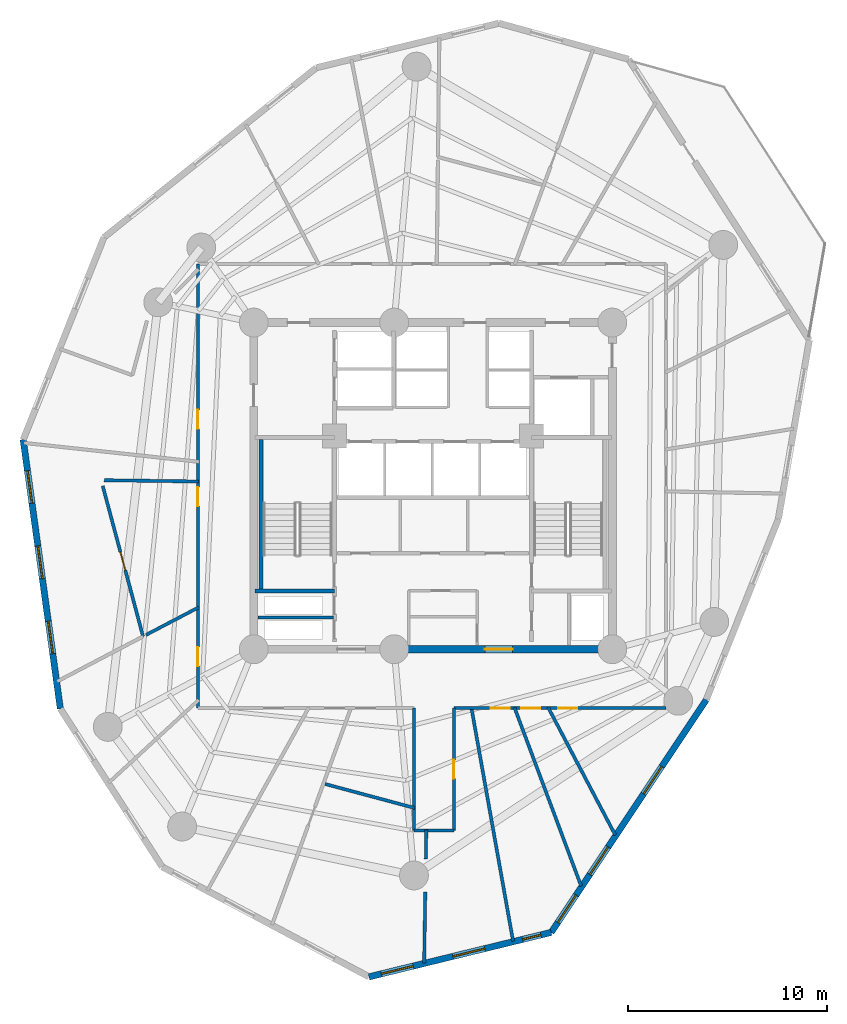
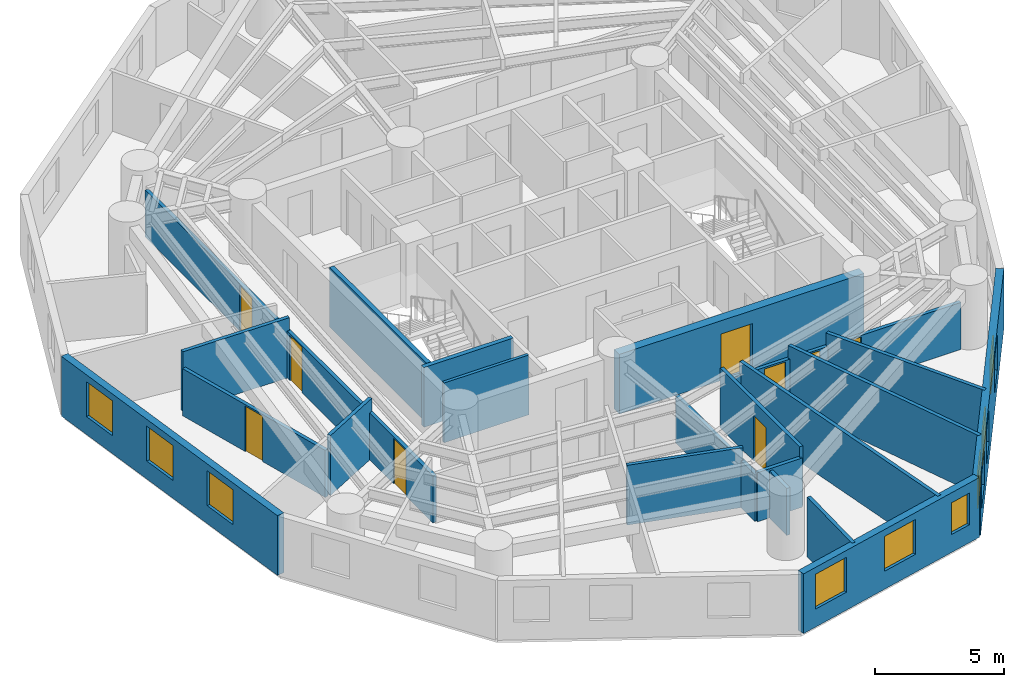
# One storey, part 3 of 8: 21 walls, 9 doors, 9 windows, 18 openings.
"""IFC4 building model written with IfcOpenShell, lengths in metres."""

from ifc_helpers import new_model, si_unit, direction, frame, frame_2d, origin, origin_with_axes, place, context, subcontext, project, spatial, rectangle, extrude, source, transform, mapped, material, layer, layer_set, type_object, element, fill, save


model = new_model("IFC4")

# Units and contexts
model_context = context("Model", 3, precision=1e-05, world=origin(), true_north=direction((0.0, 1.0)))
body_context = subcontext(model_context, "Body", "Model", "MODEL_VIEW")
ifc_project = project(units=[si_unit("LENGTHUNIT", "METRE"), si_unit("AREAUNIT", "SQUARE_METRE"), si_unit("VOLUMEUNIT", "CUBIC_METRE"), si_unit("PLANEANGLEUNIT", "RADIAN"), si_unit("MASSUNIT", "GRAM", prefix="KILO")], contexts=[model_context])

# Site, building, storey
site_placement = place(None, origin())
site = spatial("IfcSite", under=ifc_project, at=site_placement, CompositionType="ELEMENT")
building_placement = place(site_placement, origin())
building = spatial("IfcBuilding", under=site, at=building_placement, Name="Karkom Vertical University and Central Library", CompositionType="ELEMENT")
storey_placement = place(building_placement, frame((0.0, 0.0, 132.800048828125)))
storey = spatial("IfcBuildingStorey", under=building, at=storey_placement, Name="L37", CompositionType="ELEMENT", Elevation=132.800048828125)

# Wall, openings, windows
ifc_material_1 = material(Name="Brick-faced precast concrete C45/55", Category="masonry")
ifc_layer_1 = layer(ifc_material_1, 0.320068359375)
ifc_layer_set_1 = layer_set([ifc_layer_1], Name="Brick-faced precast concrete C45/55")
wall_type_1 = type_object("IfcWallType", Name="ENV-WL-BRK-320", PredefinedType="SOLIDWALL", material=ifc_layer_set_1)
wall_1_placement = place(storey_placement, frame((7.922607421875, 28.828369140625, 0.0), z_axis=(0.0, 0.0, 1.0), x_axis=(0.136771186791, -0.990602666291, 0.0)))
wall_1 = element("IfcWall", 1, at=wall_1_placement, inside=storey, type_object=wall_type_1, Name="Level 37 Brick-Faced Precast Facade Wall 01", PredefinedType="SOLIDWALL", context=body_context, shape_type="SweptSolid", body=[
    extrude(rectangle(XDim=13.646484375, YDim=0.320068359375, at=frame_2d((6.8232421875, 0.0))), origin(), (0.0, 0.0, 1.0), 2.824951171875),
])
opening_1_placement = place(wall_1_placement, frame((1.583984375, 0.0, 0.85009765625)))
opening_1 = element("IfcOpeningElement", 2, at=opening_1_placement, cuts=wall_1, Name="Opening WN-06", PredefinedType="OPENING", context=body_context, shape_type="SweptSolid", body=[
    extrude(rectangle(XDim=1.64990234375, YDim=1.64990234375, at=frame_2d((0.824951171875, 0.824951171875))), frame((0.0, 0.169921875, 0.0), z_axis=(0.0, -1.0, 0.0), x_axis=(1.0, 0.0, 0.0)), (0.0, 0.0, 1.0), 0.340087890625),
])
opening_2_placement = place(wall_1_placement, frame((5.393798828125, 0.0, 0.85009765625)))
opening_2 = element("IfcOpeningElement", 3, at=opening_2_placement, cuts=wall_1, Name="Opening WN-06", PredefinedType="OPENING", context=body_context, shape_type="SweptSolid", body=[
    extrude(rectangle(XDim=1.64990234375, YDim=1.64990234375, at=frame_2d((0.824951171875, 0.824951171875))), frame((0.0, 0.169921875, 0.0), z_axis=(0.0, -1.0, 0.0), x_axis=(1.0, 0.0, 0.0)), (0.0, 0.0, 1.0), 0.340087890625),
])
opening_3_placement = place(wall_1_placement, frame((9.20361328125, 0.0, 0.85009765625)))
opening_3 = element("IfcOpeningElement", 4, at=opening_3_placement, cuts=wall_1, Name="Opening WN-06", PredefinedType="OPENING", context=body_context, shape_type="SweptSolid", body=[
    extrude(rectangle(XDim=1.64990234375, YDim=1.64990234375, at=frame_2d((0.824951171875, 0.824951171875))), frame((0.0, 0.169921875, 0.0), z_axis=(0.0, -1.0, 0.0), x_axis=(1.0, 0.0, 0.0)), (0.0, 0.0, 1.0), 0.340087890625),
])
ifc_material_2 = material(Name="Aluminium thermal-break frame with solar-control IGU", Category="aluminium")
window_type_1 = type_object("IfcWindowType", Name="ENV-WIN-WN-06", PartitioningType="SINGLE_PANEL", PredefinedType="WINDOW", material=ifc_material_2)
shared_shape_1 = source(origin_with_axes(), body_context, "Body", "SweptSolid", [
    extrude(rectangle(XDim=1.64990234375, YDim=1.64990234375, at=frame_2d((0.824951171875, 0.824951171875))), frame((0.0, 0.030029296875, 0.0), z_axis=(0.0, -1.0, 0.0), x_axis=(1.0, 0.0, 0.0)), (0.0, 0.0, 1.0), 0.06005859375),
])
window_1_placement = place(opening_1_placement, origin())
window_1 = element("IfcWindow", 5, at=window_1_placement, inside=storey, type_object=window_type_1, Name="Level 37 Punched Window 1.1", OverallHeight=1.64990234375, OverallWidth=1.64990234375, PartitioningType="SINGLE_PANEL", PredefinedType="WINDOW", context=body_context, shape_type="MappedRepresentation", body=[
    mapped(shared_shape_1, transform((0.0, 0.0, 0.0), scale=1.0)),
])
fill(opening_1, window_1)
window_2_placement = place(opening_2_placement, origin())
window_2 = element("IfcWindow", 6, at=window_2_placement, inside=storey, type_object=window_type_1, Name="Level 37 Punched Window 1.2", OverallHeight=1.64990234375, OverallWidth=1.64990234375, PartitioningType="SINGLE_PANEL", PredefinedType="WINDOW", context=body_context, shape_type="MappedRepresentation", body=[
    mapped(shared_shape_1, transform((0.0, 0.0, 0.0), scale=1.0)),
])
fill(opening_2, window_2)
window_3_placement = place(opening_3_placement, origin())
window_3 = element("IfcWindow", 7, at=window_3_placement, inside=storey, type_object=window_type_1, Name="Level 37 Punched Window 1.3", OverallHeight=1.64990234375, OverallWidth=1.64990234375, PartitioningType="SINGLE_PANEL", PredefinedType="WINDOW", context=body_context, shape_type="MappedRepresentation", body=[
    mapped(shared_shape_1, transform((0.0, 0.0, 0.0), scale=1.0)),
])
fill(opening_3, window_3)

wall_2_placement = place(storey_placement, frame((25.284912109375, 1.85009765625, 0.0), z_axis=(0.0, 0.0, 1.0), x_axis=(0.971482920826, 0.237109541233, 0.0)))
wall_2 = element("IfcWall", 8, at=wall_2_placement, inside=storey, type_object=wall_type_1, Name="Level 37 Brick-Faced Precast Facade Wall 04", PredefinedType="SOLIDWALL", context=body_context, shape_type="SweptSolid", body=[
    extrude(rectangle(XDim=9.418212890625, YDim=0.320068359375, at=frame_2d((4.708984375, 0.0))), origin(), (0.0, 0.0, 1.0), 2.824951171875),
])
opening_4_placement = place(wall_2_placement, frame((0.638671875, 0.0, 0.85009765625)))
opening_4 = element("IfcOpeningElement", 9, at=opening_4_placement, cuts=wall_2, Name="Opening WN-06", PredefinedType="OPENING", context=body_context, shape_type="SweptSolid", body=[
    extrude(rectangle(XDim=1.64990234375, YDim=1.64990234375, at=frame_2d((0.824951171875, 0.824951171875))), frame((0.0, 0.169921875, 0.0), z_axis=(0.0, -1.0, 0.0), x_axis=(1.0, 0.0, 0.0)), (0.0, 0.0, 1.0), 0.340087890625),
])
opening_5_placement = place(wall_2_placement, frame((4.336669921875, 0.0, 0.85009765625)))
opening_5 = element("IfcOpeningElement", 10, at=opening_5_placement, cuts=wall_2, Name="Opening WN-06", PredefinedType="OPENING", context=body_context, shape_type="SweptSolid", body=[
    extrude(rectangle(XDim=1.64990234375, YDim=1.64990234375, at=frame_2d((0.824951171875, 0.824951171875))), frame((0.0, 0.169921875, 0.0), z_axis=(0.0, -1.0, 0.0), x_axis=(1.0, 0.0, 0.0)), (0.0, 0.0, 1.0), 0.340087890625),
])
opening_6_placement = place(wall_2_placement, frame((7.93212890625, 0.0, 0.85009765625)))
opening_6 = element("IfcOpeningElement", 11, at=opening_6_placement, cuts=wall_2, Name="Opening WN-12", PredefinedType="OPENING", context=body_context, shape_type="SweptSolid", body=[
    extrude(rectangle(XDim=0.949951171875, YDim=1.5, at=frame_2d((0.47509765625, 0.75))), frame((0.0, 0.169921875, 0.0), z_axis=(0.0, -1.0, 0.0), x_axis=(1.0, 0.0, 0.0)), (0.0, 0.0, 1.0), 0.340087890625),
])
window_4_placement = place(opening_4_placement, origin())
window_4 = element("IfcWindow", 12, at=window_4_placement, inside=storey, type_object=window_type_1, Name="Level 37 Punched Window 4.1", OverallHeight=1.64990234375, OverallWidth=1.64990234375, PartitioningType="SINGLE_PANEL", PredefinedType="WINDOW", context=body_context, shape_type="MappedRepresentation", body=[
    mapped(shared_shape_1, transform((0.0, 0.0, 0.0), scale=1.0)),
])
fill(opening_4, window_4)
window_5_placement = place(opening_5_placement, origin())
window_5 = element("IfcWindow", 13, at=window_5_placement, inside=storey, type_object=window_type_1, Name="Level 37 Punched Window 4.2", OverallHeight=1.64990234375, OverallWidth=1.64990234375, PartitioningType="SINGLE_PANEL", PredefinedType="WINDOW", context=body_context, shape_type="MappedRepresentation", body=[
    mapped(shared_shape_1, transform((0.0, 0.0, 0.0), scale=1.0)),
])
fill(opening_5, window_5)
window_type_2 = type_object("IfcWindowType", Name="ENV-WIN-WN-12", PartitioningType="SINGLE_PANEL", PredefinedType="WINDOW", material=ifc_material_2)
shared_shape_2 = source(origin_with_axes(), body_context, "Body", "SweptSolid", [
    extrude(rectangle(XDim=0.949951171875, YDim=1.5, at=frame_2d((0.47509765625, 0.75))), frame((0.0, 0.030029296875, 0.0), z_axis=(0.0, -1.0, 0.0), x_axis=(1.0, 0.0, 0.0)), (0.0, 0.0, 1.0), 0.06005859375),
])
window_6_placement = place(opening_6_placement, origin())
window_6 = element("IfcWindow", 14, at=window_6_placement, inside=storey, type_object=window_type_2, Name="Level 37 Punched Window 4.3", OverallHeight=1.5, OverallWidth=0.949951171875, PartitioningType="SINGLE_PANEL", PredefinedType="WINDOW", context=body_context, shape_type="MappedRepresentation", body=[
    mapped(shared_shape_2, transform((0.0, 0.0, 0.0), scale=1.0)),
])
fill(opening_6, window_6)

wall_3_placement = place(storey_placement, frame((34.4345703125, 4.083251953125, 0.0), z_axis=(0.0, 0.0, 1.0), x_axis=(0.554696184095, 0.832052969077, 0.0)))
wall_3 = element("IfcWall", 15, at=wall_3_placement, inside=storey, type_object=wall_type_1, Name="Level 37 Brick-Faced Precast Facade Wall 05", PredefinedType="SOLIDWALL", context=body_context, shape_type="SweptSolid", body=[
    extrude(rectangle(XDim=14.04248046875, YDim=0.320068359375, at=frame_2d((7.021240234375, 0.0))), origin(), (0.0, 0.0, 1.0), 2.824951171875),
])
opening_7_placement = place(wall_3_placement, frame((0.598876953125, 0.0, 0.85009765625)))
opening_7 = element("IfcOpeningElement", 16, at=opening_7_placement, cuts=wall_3, Name="Opening WN-06", PredefinedType="OPENING", context=body_context, shape_type="SweptSolid", body=[
    extrude(rectangle(XDim=1.64990234375, YDim=1.64990234375, at=frame_2d((0.824951171875, 0.824951171875))), frame((0.0, 0.169921875, 0.0), z_axis=(0.0, -1.0, 0.0), x_axis=(1.0, 0.0, 0.0)), (0.0, 0.0, 1.0), 0.340087890625),
])
opening_8_placement = place(wall_3_placement, frame((3.501953125, 0.0, 0.85009765625)))
opening_8 = element("IfcOpeningElement", 17, at=opening_8_placement, cuts=wall_3, Name="Opening WN-06", PredefinedType="OPENING", context=body_context, shape_type="SweptSolid", body=[
    extrude(rectangle(XDim=1.64990234375, YDim=1.64990234375, at=frame_2d((0.824951171875, 0.824951171875))), frame((0.0, 0.169921875, 0.0), z_axis=(0.0, -1.0, 0.0), x_axis=(1.0, 0.0, 0.0)), (0.0, 0.0, 1.0), 0.340087890625),
])
opening_9_placement = place(wall_3_placement, frame((8.35986328125, 0.0, 0.85009765625)))
opening_9 = element("IfcOpeningElement", 18, at=opening_9_placement, cuts=wall_3, Name="Opening WN-06", PredefinedType="OPENING", context=body_context, shape_type="SweptSolid", body=[
    extrude(rectangle(XDim=1.64990234375, YDim=1.64990234375, at=frame_2d((0.824951171875, 0.824951171875))), frame((0.0, 0.169921875, 0.0), z_axis=(0.0, -1.0, 0.0), x_axis=(1.0, 0.0, 0.0)), (0.0, 0.0, 1.0), 0.340087890625),
])
window_7_placement = place(opening_7_placement, origin())
window_7 = element("IfcWindow", 19, at=window_7_placement, inside=storey, type_object=window_type_1, Name="Level 37 Punched Window 5.1", OverallHeight=1.64990234375, OverallWidth=1.64990234375, PartitioningType="SINGLE_PANEL", PredefinedType="WINDOW", context=body_context, shape_type="MappedRepresentation", body=[
    mapped(shared_shape_1, transform((0.0, 0.0, 0.0), scale=1.0)),
])
fill(opening_7, window_7)
window_8_placement = place(opening_8_placement, origin())
window_8 = element("IfcWindow", 20, at=window_8_placement, inside=storey, type_object=window_type_1, Name="Level 37 Punched Window 5.2", OverallHeight=1.64990234375, OverallWidth=1.64990234375, PartitioningType="SINGLE_PANEL", PredefinedType="WINDOW", context=body_context, shape_type="MappedRepresentation", body=[
    mapped(shared_shape_1, transform((0.0, 0.0, 0.0), scale=1.0)),
])
fill(opening_8, window_8)
window_9_placement = place(opening_9_placement, origin())
window_9 = element("IfcWindow", 21, at=window_9_placement, inside=storey, type_object=window_type_1, Name="Level 37 Punched Window 5.3", OverallHeight=1.64990234375, OverallWidth=1.64990234375, PartitioningType="SINGLE_PANEL", PredefinedType="WINDOW", context=body_context, shape_type="MappedRepresentation", body=[
    mapped(shared_shape_1, transform((0.0, 0.0, 0.0), scale=1.0)),
])
fill(opening_9, window_9)

# Wall, openings, doors
ifc_material_3 = material(Name="Insulated metal-stud drywall 160mm", Category="gypsum")
ifc_layer_2 = layer(ifc_material_3, 0.159912109375)
ifc_layer_set_2 = layer_set([ifc_layer_2], Name="Insulated metal-stud drywall 160mm")
wall_type_2 = type_object("IfcWallType", Name="INT-WL-COR-160", PredefinedType="PARTITIONING", material=ifc_layer_set_2)
wall_4_placement = place(storey_placement, frame((16.699951171875, 15.35009765625, 0.0), z_axis=(0.0, 0.0, 1.0), x_axis=(0.0, 1.0, 0.0)))
wall_4 = element("IfcWall", 22, at=wall_4_placement, inside=storey, type_object=wall_type_2, Name="Level 37 Interior Partition Wall L37-CORW-CW-002", PredefinedType="PARTITIONING", context=body_context, shape_type="SweptSolid", body=[
    extrude(rectangle(XDim=22.2998046875, YDim=0.159912109375, at=frame_2d((11.14990234375, 0.0))), origin(), (0.0, 0.0, 1.0), 2.224853515625),
])
opening_10_placement = place(wall_4_placement, frame((10.135009765625, 0.0, 0.0)))
opening_10 = element("IfcOpeningElement", 23, at=opening_10_placement, cuts=wall_4, Name="Opening FD-RM2", PredefinedType="OPENING", context=body_context, shape_type="SweptSolid", body=[
    extrude(rectangle(XDim=0.9599609375, YDim=2.14990234375, at=frame_2d((0.47998046875, 1.074951171875))), frame((0.0, 0.08984375, 0.0), z_axis=(0.0, -1.0, 0.0), x_axis=(1.0, 0.0, 0.0)), (0.0, 0.0, 1.0), 0.179931640625),
])
opening_11_placement = place(wall_4_placement, frame((2.103759765625, 0.0, 0.0)))
opening_11 = element("IfcOpeningElement", 24, at=opening_11_placement, cuts=wall_4, Name="Opening D-RM1", PredefinedType="OPENING", context=body_context, shape_type="SweptSolid", body=[
    extrude(rectangle(XDim=0.949951171875, YDim=2.14990234375, at=frame_2d((0.47509765625, 1.074951171875))), frame((0.0, 0.08984375, 0.0), z_axis=(0.0, -1.0, 0.0), x_axis=(1.0, 0.0, 0.0)), (0.0, 0.0, 1.0), 0.179931640625),
])
opening_12_placement = place(wall_4_placement, frame((14.02001953125, 0.0, 0.0)))
opening_12 = element("IfcOpeningElement", 25, at=opening_12_placement, cuts=wall_4, Name="Opening D-RM1", PredefinedType="OPENING", context=body_context, shape_type="SweptSolid", body=[
    extrude(rectangle(XDim=0.949951171875, YDim=2.14990234375, at=frame_2d((0.47509765625, 1.074951171875))), frame((0.0, 0.08984375, 0.0), z_axis=(0.0, -1.0, 0.0), x_axis=(1.0, 0.0, 0.0)), (0.0, 0.0, 1.0), 0.179931640625),
])
ifc_material_4 = material(Name="Fire-rated oak veneer door", Category="wood")
door_type_1 = type_object("IfcDoorType", Name="INT-DR-FRM2", OperationType="NOTDEFINED", PredefinedType="DOOR", material=ifc_material_4)
shared_shape_3 = source(origin_with_axes(), body_context, "Body", "SweptSolid", [
    extrude(rectangle(XDim=0.9599609375, YDim=2.14990234375, at=frame_2d((0.47998046875, 1.074951171875))), frame((0.0, 0.02490234375, 0.0), z_axis=(0.0, -1.0, 0.0), x_axis=(1.0, 0.0, 0.0)), (0.0, 0.0, 1.0), 0.050048828125),
])
door_1_placement = place(opening_10_placement, origin())
door_1 = element("IfcDoor", 26, at=door_1_placement, inside=storey, type_object=door_type_1, Name="Level 37 Room Entry Door 010", OperationType="SINGLE_SWING_RIGHT", OverallHeight=2.14990234375, OverallWidth=0.9599609375, PredefinedType="DOOR", context=body_context, shape_type="MappedRepresentation", body=[
    mapped(shared_shape_3, transform((0.0, 0.0, 0.0), scale=1.0)),
])
fill(opening_10, door_1)
ifc_material_5 = material(Name="Solid-core oak veneer door", Category="wood")
door_type_2 = type_object("IfcDoorType", Name="INT-DR-RM1", OperationType="NOTDEFINED", PredefinedType="DOOR", material=ifc_material_5)
shared_shape_4 = source(origin_with_axes(), body_context, "Body", "SweptSolid", [
    extrude(rectangle(XDim=0.949951171875, YDim=2.14990234375, at=frame_2d((0.47509765625, 1.074951171875))), frame((0.0, 0.02490234375, 0.0), z_axis=(0.0, -1.0, 0.0), x_axis=(1.0, 0.0, 0.0)), (0.0, 0.0, 1.0), 0.050048828125),
])
door_2_placement = place(opening_11_placement, origin())
door_2 = element("IfcDoor", 27, at=door_2_placement, inside=storey, type_object=door_type_2, Name="Level 37 Room Entry Door 020", OperationType="SINGLE_SWING_LEFT", OverallHeight=2.14990234375, OverallWidth=0.949951171875, PredefinedType="DOOR", context=body_context, shape_type="MappedRepresentation", body=[
    mapped(shared_shape_4, transform((0.0, 0.0, 0.0), scale=1.0)),
])
fill(opening_11, door_2)
door_3_placement = place(opening_12_placement, origin())
door_3 = element("IfcDoor", 28, at=door_3_placement, inside=storey, type_object=door_type_2, Name="Level 37 Room Entry Door 220", OperationType="SINGLE_SWING_RIGHT", OverallHeight=2.14990234375, OverallWidth=0.949951171875, PredefinedType="DOOR", context=body_context, shape_type="MappedRepresentation", body=[
    mapped(shared_shape_4, transform((0.0, 0.0, 0.0), scale=1.0)),
])
fill(opening_12, door_3)

# Wall
wall_5_placement = place(storey_placement, frame((30.424560546875, 15.37939453125, 0.0), z_axis=(0.0, 0.0, 1.0), x_axis=(0.175767251586, -0.984431751454, 0.0)))
element("IfcWall", 29, at=wall_5_placement, inside=storey, type_object=wall_type_2, Name="Level 37 Interior Partition Wall L37-PW-012", PredefinedType="PARTITIONING", context=body_context, shape_type="SweptSolid", body=[
    extrude(rectangle(XDim=11.923095703125, YDim=0.159912109375, at=frame_2d((5.96142578125, 0.0))), origin(), (0.0, 0.0, 1.0), 2.824951171875),
])

# Wall, openings, doors
wall_6_placement = place(storey_placement, frame((40.199951171875, 15.35009765625, 0.0), z_axis=(0.0, 0.0, 1.0), x_axis=(-1.0, 0.0, 0.0)))
wall_6 = element("IfcWall", 30, at=wall_6_placement, inside=storey, type_object=wall_type_2, Name="Level 37 Interior Partition Wall L37-CORW-CW-005", PredefinedType="PARTITIONING", context=body_context, shape_type="SweptSolid", body=[
    extrude(rectangle(XDim=10.64990234375, YDim=0.159912109375, at=frame_2d((5.324951171875, 0.0))), origin(), (0.0, 0.0, 1.0), 2.224853515625),
])
opening_13_placement = place(wall_6_placement, frame((7.8525390625, 0.0, 0.0)))
opening_13 = element("IfcOpeningElement", 31, at=opening_13_placement, cuts=wall_6, Name="Opening D-RM1", PredefinedType="OPENING", context=body_context, shape_type="SweptSolid", body=[
    extrude(rectangle(XDim=0.949951171875, YDim=2.14990234375, at=frame_2d((0.47509765625, 1.074951171875))), frame((0.0, 0.08984375, 0.0), z_axis=(0.0, -1.0, 0.0), x_axis=(1.0, 0.0, 0.0)), (0.0, 0.0, 1.0), 0.179931640625),
])
opening_14_placement = place(wall_6_placement, frame((6.3076171875, 0.0, 0.0)))
opening_14 = element("IfcOpeningElement", 32, at=opening_14_placement, cuts=wall_6, Name="Opening FD-RM2", PredefinedType="OPENING", context=body_context, shape_type="SweptSolid", body=[
    extrude(rectangle(XDim=0.9599609375, YDim=2.14990234375, at=frame_2d((0.47998046875, 1.074951171875))), frame((0.0, 0.08984375, 0.0), z_axis=(0.0, -1.0, 0.0), x_axis=(1.0, 0.0, 0.0)), (0.0, 0.0, 1.0), 0.179931640625),
])
opening_15_placement = place(wall_6_placement, frame((4.4599609375, 0.0, 0.0)))
opening_15 = element("IfcOpeningElement", 33, at=opening_15_placement, cuts=wall_6, Name="Opening D-RM1", PredefinedType="OPENING", context=body_context, shape_type="SweptSolid", body=[
    extrude(rectangle(XDim=0.949951171875, YDim=2.14990234375, at=frame_2d((0.47509765625, 1.074951171875))), frame((0.0, 0.08984375, 0.0), z_axis=(0.0, -1.0, 0.0), x_axis=(1.0, 0.0, 0.0)), (0.0, 0.0, 1.0), 0.179931640625),
])
door_4_placement = place(opening_14_placement, origin())
door_4 = element("IfcDoor", 34, at=door_4_placement, inside=storey, type_object=door_type_1, Name="Level 37 Room Entry Door 090", OperationType="SINGLE_SWING_LEFT", OverallHeight=2.14990234375, OverallWidth=0.9599609375, PredefinedType="DOOR", context=body_context, shape_type="MappedRepresentation", body=[
    mapped(shared_shape_3, transform((0.0, 0.0, 0.0), scale=1.0)),
])
fill(opening_14, door_4)
door_5_placement = place(opening_13_placement, origin())
door_5 = element("IfcDoor", 35, at=door_5_placement, inside=storey, type_object=door_type_2, Name="Level 37 Room Entry Door 080", OperationType="SINGLE_SWING_RIGHT", OverallHeight=2.14990234375, OverallWidth=0.949951171875, PredefinedType="DOOR", context=body_context, shape_type="MappedRepresentation", body=[
    mapped(shared_shape_4, transform((0.0, 0.0, 0.0), scale=1.0)),
])
fill(opening_13, door_5)
door_6_placement = place(opening_15_placement, origin())
door_6 = element("IfcDoor", 36, at=door_6_placement, inside=storey, type_object=door_type_2, Name="Level 37 Room Entry Door 100", OperationType="SINGLE_SWING_RIGHT", OverallHeight=2.14990234375, OverallWidth=0.949951171875, PredefinedType="DOOR", context=body_context, shape_type="MappedRepresentation", body=[
    mapped(shared_shape_4, transform((0.0, 0.0, 0.0), scale=1.0)),
])
fill(opening_15, door_6)

# Wall
wall_7_placement = place(storey_placement, frame((32.588623046875, 15.378173828125, 0.0), z_axis=(0.0, 0.0, 1.0), x_axis=(0.349793246399, -0.936826923596, 0.0)))
element("IfcWall", 37, at=wall_7_placement, inside=storey, type_object=wall_type_2, Name="Level 37 Interior Partition Wall L37-PW-013", PredefinedType="PARTITIONING", context=body_context, shape_type="SweptSolid", body=[
    extrude(rectangle(XDim=9.57666015625, YDim=0.159912109375, at=frame_2d((4.788330078125, 0.0))), origin(), (0.0, 0.0, 1.0), 2.824951171875),
])

# Wall, opening, door
wall_8_placement = place(storey_placement, frame((11.917236328125, 26.5, 0.0), z_axis=(0.0, 0.0, 1.0), x_axis=(0.258814064206, -0.965927160903, 0.0)))
wall_8 = element("IfcWall", 38, at=wall_8_placement, inside=storey, type_object=wall_type_2, Name="Level 37 Interior Partition Wall L37-PW-001", PredefinedType="PARTITIONING", context=body_context, shape_type="SweptSolid", body=[
    extrude(rectangle(XDim=7.82470703125, YDim=0.159912109375, at=frame_2d((3.912353515625, 0.0))), origin(), (0.0, 0.0, 1.0), 2.224853515625),
])
opening_16_placement = place(wall_8_placement, frame((3.4375, 0.0, 0.0)))
opening_16 = element("IfcOpeningElement", 39, at=opening_16_placement, cuts=wall_8, Name="Opening D-RM1", PredefinedType="OPENING", context=body_context, shape_type="SweptSolid", body=[
    extrude(rectangle(XDim=0.949951171875, YDim=2.14990234375, at=frame_2d((0.47509765625, 1.074951171875))), frame((0.0, 0.08984375, 0.0), z_axis=(0.0, -1.0, 0.0), x_axis=(1.0, 0.0, 0.0)), (0.0, 0.0, 1.0), 0.179931640625),
])
door_7_placement = place(opening_16_placement, origin())
door_7 = element("IfcDoor", 40, at=door_7_placement, inside=storey, type_object=door_type_2, Name="Level 37 Room Entry Door 000", OperationType="SINGLE_SWING_LEFT", OverallHeight=2.14990234375, OverallWidth=0.949951171875, PredefinedType="DOOR", context=body_context, shape_type="MappedRepresentation", body=[
    mapped(shared_shape_4, transform((0.0, 0.0, 0.0), scale=1.0)),
])
fill(opening_16, door_7)

# Wall
wall_9_placement = place(storey_placement, frame((34.27490234375, 15.389892578125, 0.0), z_axis=(0.0, 0.0, 1.0), x_axis=(0.465452385809, -0.885072921597, 0.0)))
element("IfcWall", 41, at=wall_9_placement, inside=storey, type_object=wall_type_2, Name="Level 37 Interior Partition Wall L37-PW-014", PredefinedType="PARTITIONING", context=body_context, shape_type="SweptSolid", body=[
    extrude(rectangle(XDim=7.255126953125, YDim=0.159912109375, at=frame_2d((3.62744140625, 0.0))), origin(), (0.0, 0.0, 1.0), 2.824951171875),
])

# Wall, opening, door
wall_10_placement = place(storey_placement, frame((29.550048828125, 15.35009765625, 0.0), z_axis=(0.0, 0.0, 1.0), x_axis=(0.0, -1.0, 0.0)))
wall_10 = element("IfcWall", 42, at=wall_10_placement, inside=storey, type_object=wall_type_2, Name="Level 37 Interior Partition Wall L37-CORW-CW-006", PredefinedType="PARTITIONING", context=body_context, shape_type="SweptSolid", body=[
    extrude(rectangle(XDim=6.150146484375, YDim=0.159912109375, at=frame_2d((3.0751953125, 0.0))), origin(), (0.0, 0.0, 1.0), 2.824951171875),
])
opening_17_placement = place(wall_10_placement, frame((2.60009765625, 0.0, 0.0)))
opening_17 = element("IfcOpeningElement", 43, at=opening_17_placement, cuts=wall_10, Name="Opening D-RM1", PredefinedType="OPENING", context=body_context, shape_type="SweptSolid", body=[
    extrude(rectangle(XDim=0.949951171875, YDim=2.14990234375, at=frame_2d((0.47509765625, 1.074951171875))), frame((0.0, 0.08984375, 0.0), z_axis=(0.0, -1.0, 0.0), x_axis=(1.0, 0.0, 0.0)), (0.0, 0.0, 1.0), 0.179931640625),
])
door_8_placement = place(opening_17_placement, origin())
door_8 = element("IfcDoor", 44, at=door_8_placement, inside=storey, type_object=door_type_2, Name="Level 37 Room Entry Door 070", OperationType="SINGLE_SWING_LEFT", OverallHeight=2.14990234375, OverallWidth=0.949951171875, PredefinedType="DOOR", context=body_context, shape_type="MappedRepresentation", body=[
    mapped(shared_shape_4, transform((0.0, 0.0, 0.0), scale=1.0)),
])
fill(opening_17, door_8)

# Walls
wall_11_placement = place(storey_placement, frame((27.550048828125, 9.199951171875, 0.0), z_axis=(0.0, 0.0, 1.0), x_axis=(0.0, 1.0, 0.0)))
element("IfcWall", 45, at=wall_11_placement, inside=storey, type_object=wall_type_2, Name="Level 37 Interior Partition Wall L37-CORW-CW-008", PredefinedType="PARTITIONING", context=body_context, shape_type="SweptSolid", body=[
    extrude(rectangle(XDim=6.150146484375, YDim=0.159912109375, at=frame_2d((3.0751953125, 0.0))), origin(), (0.0, 0.0, 1.0), 2.224853515625),
])
wall_12_placement = place(storey_placement, frame((16.72998046875, 26.7216796875, 0.0), z_axis=(0.0, 0.0, 1.0), x_axis=(-0.999906003138, 0.013710758123, 0.0)))
element("IfcWall", 46, at=wall_12_placement, inside=storey, type_object=wall_type_2, Name="Level 37 Interior Partition Wall L37-PW-002", PredefinedType="PARTITIONING", context=body_context, shape_type="SweptSolid", body=[
    extrude(rectangle(XDim=4.736572265625, YDim=0.159912109375, at=frame_2d((2.3681640625, 0.0))), origin(), (0.0, 0.0, 1.0), 2.824951171875),
])
wall_13_placement = place(storey_placement, frame((27.5791015625, 10.32958984375, 0.0), z_axis=(0.0, 0.0, 1.0), x_axis=(-0.965933068413, 0.258792015614, 0.0)))
element("IfcWall", 47, at=wall_13_placement, inside=storey, type_object=wall_type_2, Name="Level 37 Interior Partition Wall L37-PW-009", PredefinedType="PARTITIONING", context=body_context, shape_type="SweptSolid", body=[
    extrude(rectangle(XDim=4.65478515625, YDim=0.159912109375, at=frame_2d((2.327392578125, 0.0))), origin(), (0.0, 0.0, 1.0), 2.824951171875),
])
wall_14_placement = place(storey_placement, frame((28.112548828125, 6.123046875, 0.0), z_axis=(0.0, 0.0, 1.0), x_axis=(-0.016005611237, -0.999871902, 0.0)))
element("IfcWall", 48, at=wall_14_placement, inside=storey, type_object=wall_type_2, Name="Level 37 Interior Partition Wall L37-PW-011", PredefinedType="PARTITIONING", context=body_context, shape_type="SweptSolid", body=[
    extrude(rectangle(XDim=3.5693359375, YDim=0.159912109375, at=frame_2d((1.78466796875, 0.0))), origin(), (0.0, 0.0, 1.0), 2.824951171875),
])
wall_15_placement = place(storey_placement, frame((16.739990234375, 20.4072265625, 0.0), z_axis=(0.0, 0.0, 1.0), x_axis=(-0.885820363554, -0.464028321887, 0.0)))
element("IfcWall", 49, at=wall_15_placement, inside=storey, type_object=wall_type_2, Name="Level 37 Interior Partition Wall L37-PW-005", PredefinedType="PARTITIONING", context=body_context, shape_type="SweptSolid", body=[
    extrude(rectangle(XDim=2.994140625, YDim=0.159912109375, at=frame_2d((1.4970703125, 0.0))), origin(), (0.0, 0.0, 1.0), 2.824951171875),
])
wall_16_placement = place(storey_placement, frame((29.550048828125, 9.199951171875, 0.0), z_axis=(0.0, 0.0, 1.0), x_axis=(-1.0, 0.0, 0.0)))
element("IfcWall", 50, at=wall_16_placement, inside=storey, type_object=wall_type_2, Name="Level 37 Interior Partition Wall L37-CORW-CW-007", PredefinedType="PARTITIONING", context=body_context, shape_type="SweptSolid", body=[
    extrude(rectangle(XDim=2.0, YDim=0.159912109375, at=frame_2d((1.0, 0.0))), origin(), (0.0, 0.0, 1.0), 2.324951171875),
])
wall_17_placement = place(storey_placement, frame((28.16259765625, 9.22998046875, 0.0), z_axis=(0.0, 0.0, 1.0), x_axis=(-0.016140350208, -0.999869736063, 0.0)))
element("IfcWall", 51, at=wall_17_placement, inside=storey, type_object=wall_type_2, Name="Level 37 Interior Partition Wall L37-PW-010", PredefinedType="PARTITIONING", context=body_context, shape_type="SweptSolid", body=[
    extrude(rectangle(XDim=1.46728515625, YDim=0.159912109375, at=frame_2d((0.733642578125, 0.0))), origin(), (0.0, 0.0, 1.0), 2.224853515625),
])
ifc_material_6 = material(Name="Metal-stud gypsum partition 140mm", Category="gypsum")
ifc_layer_3 = layer(ifc_material_6, 0.139892578125)
ifc_layer_set_3 = layer_set([ifc_layer_3], Name="Metal-stud gypsum partition 140mm")
wall_type_3 = type_object("IfcWallType", Name="INT-WL-SUB-140H", PredefinedType="PARTITIONING", material=ifc_layer_set_3)
wall_18_placement = place(storey_placement, frame((19.70703125, 19.889892578125, 0.0), z_axis=(0.0, 0.0, 1.0), x_axis=(1.0, 0.0, 0.0)))
element("IfcWall", 52, at=wall_18_placement, inside=storey, type_object=wall_type_3, Name="Level 37 Interior Partition Wall L37-CW-RIS-W", PredefinedType="PARTITIONING", context=body_context, shape_type="SweptSolid", body=[
    extrude(rectangle(XDim=3.789794921875, YDim=0.139892578125, at=frame_2d((1.89501953125, 0.0))), origin(), (0.0, 0.0, 1.0), 2.824951171875),
])

# Wall, opening, door
ifc_material_7 = material(Name="Concrete C50/60", Category="concrete")
ifc_layer_4 = layer(ifc_material_7, 0.39990234375)
ifc_layer_set_4 = layer_set([ifc_layer_4], Name="Concrete C50/60")
wall_type_4 = type_object("IfcWallType", Name="STR-WL-CW-400", PredefinedType="SHEAR", material=ifc_layer_set_4)
wall_19_placement = place(storey_placement, frame((26.550048828125, 18.300048828125, 0.0), z_axis=(0.0, 0.0, 1.0), x_axis=(1.0, 0.0, 0.0)))
wall_19 = element("IfcWall", 53, at=wall_19_placement, inside=storey, type_object=wall_type_4, Name="Level 37 Central Core Shear Wall SW2", PredefinedType="SHEAR", context=body_context, shape_type="SweptSolid", body=[
    extrude(rectangle(XDim=10.949951171875, YDim=0.39990234375, at=frame_2d((5.47509765625, 0.0))), origin(), (0.0, 0.0, 1.0), 2.824951171875),
])
opening_18_placement = place(wall_19_placement, frame((4.550048828125, 0.0, 0.0)))
opening_18 = element("IfcOpeningElement", 54, at=opening_18_placement, cuts=wall_19, Name="Opening FD-CLB", PredefinedType="OPENING", context=body_context, shape_type="SweptSolid", body=[
    extrude(rectangle(XDim=1.39990234375, YDim=2.199951171875, at=frame_2d((0.699951171875, 1.10009765625))), frame((0.0, 0.2099609375, 0.0), z_axis=(0.0, -1.0, 0.0), x_axis=(1.0, 0.0, 0.0)), (0.0, 0.0, 1.0), 0.419921875),
])
ifc_material_8 = material(Name="Painted steel fire door", Category="steel")
door_type_3 = type_object("IfcDoorType", Name="INT-DR-CLB", OperationType="DOUBLE_DOOR_SINGLE_SWING", PredefinedType="DOOR", material=ifc_material_8)
shared_shape_5 = source(origin_with_axes(), body_context, "Body", "SweptSolid", [
    extrude(rectangle(XDim=1.39990234375, YDim=2.199951171875, at=frame_2d((0.699951171875, 1.10009765625))), frame((0.0, 0.02490234375, 0.0), z_axis=(0.0, -1.0, 0.0), x_axis=(1.0, 0.0, 0.0)), (0.0, 0.0, 1.0), 0.050048828125),
])
door_9_placement = place(opening_18_placement, origin())
door_9 = element("IfcDoor", 55, at=door_9_placement, inside=storey, type_object=door_type_3, Name="Level 37 South Core Lobby East Exit Door", OperationType="DOUBLE_DOOR_SINGLE_SWING", OverallHeight=2.199951171875, OverallWidth=1.39990234375, PredefinedType="DOOR", context=body_context, shape_type="MappedRepresentation", body=[
    mapped(shared_shape_5, transform((0.0, 0.0, 0.0), scale=1.0)),
])
fill(opening_18, door_9)

# Walls
ifc_material_9 = material(Name="Concrete C45/55", Category="concrete")
ifc_layer_5 = layer(ifc_material_9, 0.199951171875)
ifc_layer_set_5 = layer_set([ifc_layer_5], Name="Concrete C45/55")
wall_type_5 = type_object("IfcWallType", Name="STR-WL-ST-200", PredefinedType="SHEAR", material=ifc_layer_set_5)
wall_20_placement = place(storey_placement, frame((19.875, 21.320068359375, 0.0), z_axis=(0.0, 0.0, 1.0), x_axis=(0.0, 1.0, 0.0)))
element("IfcWall", 56, at=wall_20_placement, inside=storey, type_object=wall_type_5, Name="Level 37 Core Shaft Wall L37-CW-ST1-W", PredefinedType="SHEAR", context=body_context, shape_type="SweptSolid", body=[
    extrude(rectangle(XDim=7.5, YDim=0.199951171875, at=frame_2d((3.75, 0.0))), origin(), (0.0, 0.0, 1.0), 2.824951171875),
])
wall_21_placement = place(storey_placement, frame((19.550048828125, 21.215087890625, 0.0), z_axis=(0.0, 0.0, 1.0), x_axis=(1.0, 0.0, 0.0)))
element("IfcWall", 57, at=wall_21_placement, inside=storey, type_object=wall_type_5, Name="Level 37 Core Shaft Wall L37-CW-ST1-S", PredefinedType="SHEAR", context=body_context, shape_type="SweptSolid", body=[
    extrude(rectangle(XDim=3.994873046875, YDim=0.199951171875, at=frame_2d((1.99755859375, 0.0))), origin(), (0.0, 0.0, 1.0), 2.824951171875),
])

save(model, "model.ifc")
